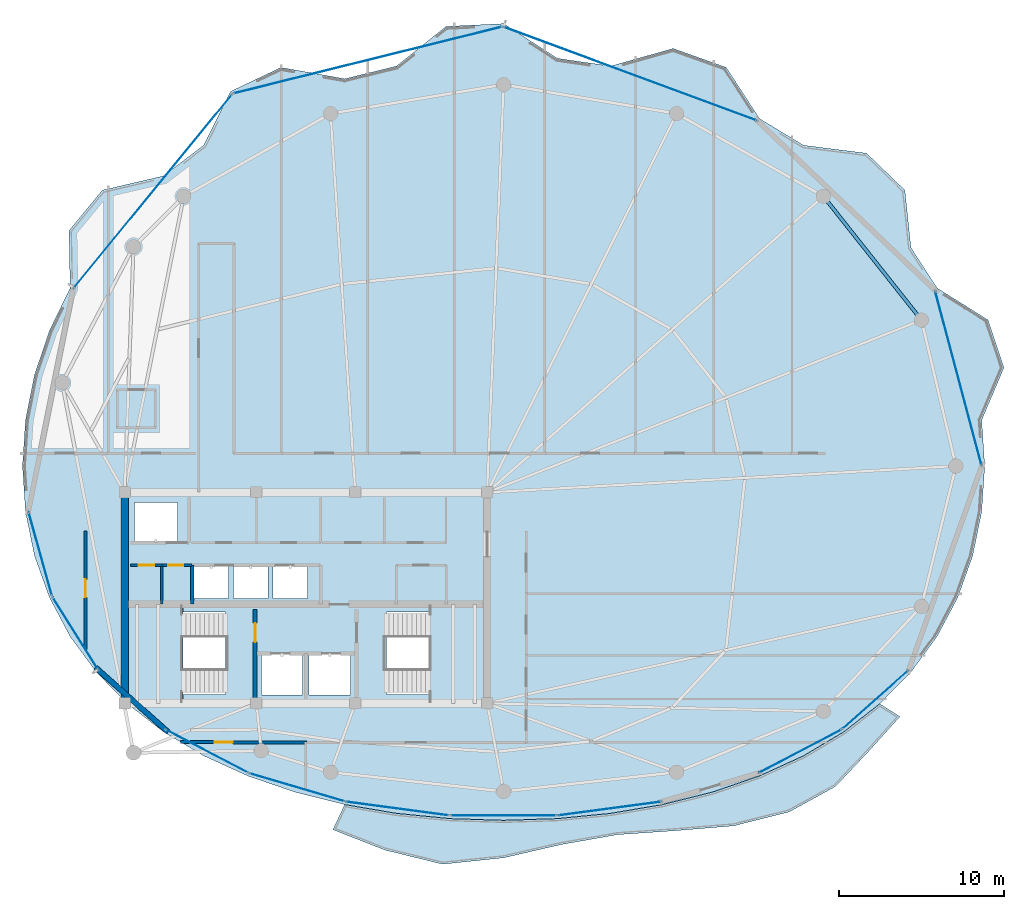
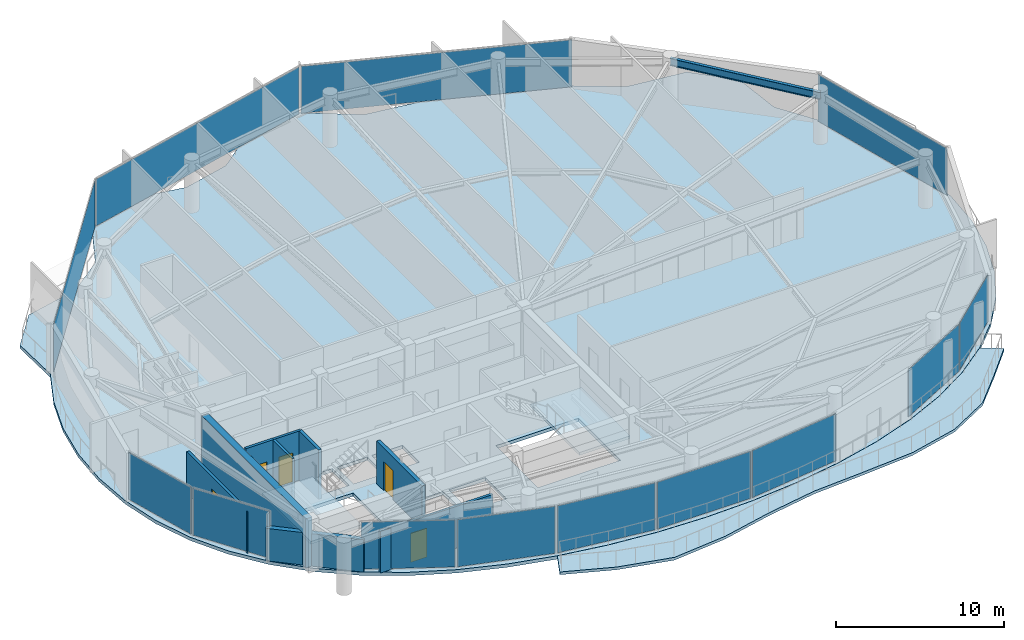
# One storey, part 23 of 29: 13 plates, 9 walls, 5 doors, 4 slabs, 1 beam, 5 openings, 15 elements without a shape of their own.
"""IFC4 building model written with IfcOpenShell, lengths in metres."""

import ifcopenshell
import ifcopenshell.guid

model = None  # the IFC model being written
_history = None  # IfcOwnerHistory: only IFC2X3 demands one
_inside = {}  # id of a spatial element -> (the spatial element, [elements in it])
_under = {}  # id of a project, library or spatial element -> (it, [spatial elements below it])
_declared = {}  # id of a project -> (the project, [libraries it declares])
_typed = {}  # id of a type object -> (the type object, [elements of that type])
_made_of = {}  # id of a material, layer set ... -> (it, [elements and type objects made of it])


def new_model(schema):
    """Start an empty IFC model of exactly this schema.

    Asked for "IFC4X3", IfcOpenShell would pick the latest addendum, in which some entities
    have other attributes; the version numbers below select the first issue.
    IFC2X3 requires an IfcOwnerHistory on every rooted entity: one is made here for all.
    """
    global model, _history
    if schema == "IFC4X3":
        model = ifcopenshell.file(schema_version=(4, 3, 0, 0))
    else:
        model = ifcopenshell.file(schema=schema)
    _inside.clear()
    _under.clear()
    _declared.clear()
    _typed.clear()
    _made_of.clear()
    _history = None
    if model.schema == "IFC2X3":
        org = make("IfcOrganization", Name="unknown")
        user = make(
            "IfcPersonAndOrganization",
            ThePerson=make("IfcPerson", FamilyName="unknown"),
            TheOrganization=org,
        )
        app = make(
            "IfcApplication",
            ApplicationDeveloper=org,
            Version="unknown",
            ApplicationFullName="unknown",
            ApplicationIdentifier="unknown",
        )
        _history = make(
            "IfcOwnerHistory",
            OwningUser=user,
            OwningApplication=app,
            ChangeAction="ADDED",
            CreationDate=0,
        )
    return model


def make(cls, **values):
    """One entity of the class cls with the attributes given. An attribute that is None is left unset."""
    return model.create_entity(
        cls, **{name: value for name, value in values.items() if value is not None}
    )


def rooted(cls, **values):
    """An entity with a GlobalId (a new one), such as an element, a storey or a relation."""
    return make(cls, GlobalId=ifcopenshell.guid.new(), OwnerHistory=_history, **values)


def si_unit(unit_type, name, prefix=None):
    """IfcSIUnit, for example si_unit("LENGTHUNIT", "METRE", prefix="MILLI")."""
    return make("IfcSIUnit", UnitType=unit_type, Prefix=prefix, Name=name)


def assignment(units):
    """IfcUnitAssignment: the units of a project."""
    return None if units is None else make("IfcUnitAssignment", Units=units)


def point(xyz):
    """IfcCartesianPoint."""
    return None if xyz is None else make("IfcCartesianPoint", Coordinates=xyz)


def direction(xyz):
    """IfcDirection."""
    return None if xyz is None else make("IfcDirection", DirectionRatios=xyz)


def frame(location, z_axis=None, x_axis=None):
    """IfcAxis2Placement3D, a coordinate frame: its origin and axes. An axis left out is left unset."""
    return make(
        "IfcAxis2Placement3D",
        Location=point(location),
        Axis=direction(z_axis),
        RefDirection=direction(x_axis),
    )


def frame_2d(location, x_axis=None):
    """IfcAxis2Placement2D, a coordinate frame in the plane: its origin and x axis."""
    return make(
        "IfcAxis2Placement2D", Location=point(location), RefDirection=direction(x_axis)
    )


def origin():
    """The frame at (0, 0, 0) with its axes left unset."""
    return frame((0.0, 0.0, 0.0))


def origin_2d():
    """The frame at (0, 0) in the plane with its x axis left unset."""
    return frame_2d((0.0, 0.0))


def place(relative_to, where):
    """IfcLocalPlacement: puts the frame where relative to a parent placement (None: the world)."""
    return make(
        "IfcLocalPlacement", PlacementRelTo=relative_to, RelativePlacement=where
    )


def context(
    kind, dimensions, precision=None, world=None, true_north=None, identifier=None
):
    """IfcGeometricRepresentationContext, for example the 3D "Model" context."""
    return make(
        "IfcGeometricRepresentationContext",
        ContextIdentifier=identifier,
        ContextType=kind,
        CoordinateSpaceDimension=dimensions,
        Precision=precision,
        WorldCoordinateSystem=world,
        TrueNorth=true_north,
    )


def subcontext(parent, identifier, kind, view, scale=None):
    """IfcGeometricRepresentationSubContext, for example "Body" below "Model"."""
    return make(
        "IfcGeometricRepresentationSubContext",
        ContextIdentifier=identifier,
        ContextType=kind,
        ParentContext=parent,
        TargetScale=scale,
        TargetView=view,
    )


def project(units=None, contexts=None):
    """IfcProject with its units and contexts."""
    return rooted(
        "IfcProject",
        Name="project",
        RepresentationContexts=contexts,
        UnitsInContext=assignment(units),
    )


def spatial(cls, under=None, at=None, **own):
    """A site, building, storey or space (cls), placed at a placement, below another one or the project."""
    s = rooted(cls, ObjectPlacement=at, **own)
    if under is not None:
        _under.setdefault(under.id(), (under, []))[1].append(s)
    return s


def polyline(points):
    """IfcPolyline through the points."""
    return make("IfcPolyline", Points=[point(p) for p in points])


def profile(cls, at=None, kind="AREA", **sizes):
    """A parametric profile (cls). Its sizes go by their IFC names, for example OverallWidth=200.0."""
    return make(cls, ProfileType=kind, Position=at, **sizes)


def rectangle(**sizes):
    """IfcRectangleProfileDef."""
    return profile("IfcRectangleProfileDef", **sizes)


def i_section(**sizes):
    """IfcIShapeProfileDef."""
    return profile("IfcIShapeProfileDef", **sizes)


def outline(outer, holes=None, kind="AREA"):
    """IfcArbitraryClosedProfileDef: a profile drawn as a closed curve; with holes, ...WithVoids."""
    if holes is None:
        return make("IfcArbitraryClosedProfileDef", ProfileType=kind, OuterCurve=outer)
    return make(
        "IfcArbitraryProfileDefWithVoids",
        ProfileType=kind,
        OuterCurve=outer,
        InnerCurves=holes,
    )


def extrude(swept, where, along, depth):
    """IfcExtrudedAreaSolid: the profile swept, set in the frame where, extruded along a direction by depth."""
    return make(
        "IfcExtrudedAreaSolid",
        SweptArea=swept,
        Position=where,
        ExtrudedDirection=direction(along),
        Depth=depth,
    )


def shape(context_of_items, identifier, shape_type, items):
    """IfcShapeRepresentation: the items that make up one representation, for example the "Body"."""
    return make(
        "IfcShapeRepresentation",
        ContextOfItems=context_of_items,
        RepresentationIdentifier=identifier,
        RepresentationType=shape_type,
        Items=items,
    )


def material(Name=None, Category=None):
    """IfcMaterial."""
    return make("IfcMaterial", Name=Name, Category=Category)


def layer(
    of_material, thickness, ventilated=None, Name=None, Category=None, Priority=None
):
    """IfcMaterialLayer: one layer of a wall or slab, of a material (None: an air gap)."""
    return make(
        "IfcMaterialLayer",
        Material=of_material,
        LayerThickness=thickness,
        IsVentilated=ventilated,
        Name=Name,
        Category=Category,
        Priority=Priority,
    )


def layer_set(layers, Name=None):
    """IfcMaterialLayerSet."""
    return make("IfcMaterialLayerSet", MaterialLayers=layers, LayerSetName=Name)


def material_profile(
    of_material, cross_section, Name=None, Category=None, Priority=None
):
    """IfcMaterialProfile: a cross section and its material."""
    return make(
        "IfcMaterialProfile",
        Name=Name,
        Material=of_material,
        Profile=cross_section,
        Priority=Priority,
        Category=Category,
    )


def profile_set(profiles, Name=None, composite=None):
    """IfcMaterialProfileSet."""
    return make(
        "IfcMaterialProfileSet",
        Name=Name,
        MaterialProfiles=profiles,
        CompositeProfile=composite,
    )


def made_of(thing, what):
    """Note that an element or type object is made of a material, layer set ...; save() writes the relation."""
    if what is not None:
        _made_of.setdefault(what.id(), (what, []))[1].append(thing)
    return thing


def type_object(cls, material=None, **own):
    """A type object (cls), such as IfcWallType, which elements share."""
    return made_of(rooted(cls, **own), material)


def element(
    cls,
    number,
    at=None,
    inside=None,
    cuts=None,
    type_object=None,
    material=None,
    context=None,
    identifier="Body",
    shape_type=None,
    held_by="IfcProductDefinitionShape",
    body=None,
    shapes=None,
    **own,
):
    """One element of the class cls, such as IfcWall. Its Tag is "e" and its number.

    at: its placement. inside: the storey or other place that contains it. cuts: it is an
    opening in that element (IfcRelVoidsElement). A single representation is given by context,
    identifier, shape_type and body (its items); several are given by shapes. held_by: the class
    of the entity that holds the representations. save() writes the other relations.
    """
    e = rooted(cls, Tag="e%d" % number, ObjectPlacement=at, **own)
    if body is not None:
        shapes = [shape(context, identifier, shape_type, body)]
    if shapes is not None:
        e.Representation = make(held_by, Representations=shapes)
    if inside is not None:
        _inside.setdefault(inside.id(), (inside, []))[1].append(e)
    if cuts is not None:
        rooted(
            "IfcRelVoidsElement", RelatingBuildingElement=cuts, RelatedOpeningElement=e
        )
    if type_object is not None:
        _typed.setdefault(type_object.id(), (type_object, []))[1].append(e)
    return made_of(e, material)


def fill(opening, filler):
    """IfcRelFillsElement: the door or window that sits in an opening."""
    return rooted(
        "IfcRelFillsElement",
        RelatingOpeningElement=opening,
        RelatedBuildingElement=filler,
    )


def aggregate(whole, parts):
    """IfcRelAggregates: a whole, such as a stair, and the parts it consists of."""
    return rooted("IfcRelAggregates", RelatingObject=whole, RelatedObjects=parts)


def save(model, path):
    """Write the relations noted so far, then the file.

    IfcRelAggregates (storeys below a building ...), IfcRelContainedInSpatialStructure (elements
    in a storey), IfcRelDefinesByType, IfcRelAssociatesMaterial and IfcRelDeclares: one each for
    every whole, place, type object, material and project.
    """
    for whole, parts in _under.values():
        aggregate(whole, parts)
    for where, things in _inside.values():
        rooted(
            "IfcRelContainedInSpatialStructure",
            RelatedElements=things,
            RelatingStructure=where,
        )
    for kind, things in _typed.values():
        rooted("IfcRelDefinesByType", RelatedObjects=things, RelatingType=kind)
    for what, things in _made_of.values():
        rooted("IfcRelAssociatesMaterial", RelatedObjects=things, RelatingMaterial=what)
    for by, libraries in _declared.values():
        rooted("IfcRelDeclares", RelatingContext=by, RelatedDefinitions=libraries)
    model.write(path)


model = new_model("IFC4")

# Units and contexts
model_context = context("Model", 3, precision=1e-05, world=origin(), true_north=direction((0.0, 1.0)))
body_context = subcontext(model_context, "Body", "Model", "MODEL_VIEW")
ifc_project = project(units=[si_unit("LENGTHUNIT", "METRE"), si_unit("AREAUNIT", "SQUARE_METRE"), si_unit("VOLUMEUNIT", "CUBIC_METRE"), si_unit("PLANEANGLEUNIT", "RADIAN"), si_unit("MASSUNIT", "GRAM", prefix="KILO")], contexts=[model_context])

# Site, building, storey
site_placement = place(None, origin())
site = spatial("IfcSite", under=ifc_project, at=site_placement, CompositionType="ELEMENT")
building_placement = place(site_placement, origin())
building = spatial("IfcBuilding", under=site, at=building_placement, Name="Kazevale Care Tower and Concert Hall", CompositionType="ELEMENT")
storey_placement = place(building_placement, frame((0.0, 0.0, 285.199951171875)))
storey = spatial("IfcBuildingStorey", under=building, at=storey_placement, Name="L75", CompositionType="ELEMENT", Elevation=285.199951171875)

# Beam
ifc_material_1 = material(Name="Steel ASTM A572 Gr 50", Category="steel")
ifc_material_profile = material_profile(ifc_material_1, i_section(OverallWidth=0.208984375, OverallDepth=0.532958984375, WebThickness=0.01025390625, FlangeThickness=0.015625, at=origin_2d()), Name="W530x92")
ifc_profile_set = profile_set([ifc_material_profile], Name="Steel ASTM A572 Gr 50")
beam_type = type_object("IfcBeamType", Name="Upper Ring Beam W530x92", PredefinedType="BEAM", material=ifc_profile_set)
beam_placement = place(storey_placement, frame((70.360107421875, 46.860107421875, 3.29345703125), z_axis=(-0.621008988522, 0.783803442308, 0.0), x_axis=(-0.783803442308, -0.621008988522, 0.0)))
element("IfcBeam", 1, at=beam_placement, inside=storey, type_object=beam_type, Name="beam:L75:ring:02", PredefinedType="BEAM", context=body_context, shape_type="SweptSolid", body=[
    extrude(i_section(OverallWidth=0.208984375, OverallDepth=0.532958984375, WebThickness=0.01025390625, FlangeThickness=0.015625, at=origin_2d()), origin(), (0.0, 0.0, 1.0), 9.58154296875),
])

# Curtain wall, plate
ifc_material_2 = material(Name="Aluminium 6063-T6 and Low-E Glass", Category="aluminium")
ifc_layer_1 = layer(ifc_material_2, 0.179931640625)
ifc_layer_set_1 = layer_set([ifc_layer_1], Name="Aluminium 6063-T6 and Low-E Glass")
curtain_wall_type_1 = type_object("IfcCurtainWallType", Name="Convex Checkerboard Finned Curtain Wall CW-2", PredefinedType="NOTDEFINED", material=ifc_layer_set_1)
curtain_wall_1_placement = place(storey_placement, origin())
curtain_wall_1 = element("IfcCurtainWall", 2, at=curtain_wall_1_placement, inside=storey, type_object=curtain_wall_type_1, Name="cw:L75:f14", PredefinedType="NOTDEFINED")
ifc_material_3 = material(Name="Low-E Laminated Glass", Category="glass")
ifc_layer_2 = layer(ifc_material_3, 0.028076171875)
ifc_layer_set_2 = layer_set([ifc_layer_2], Name="Low-E Laminated Glass")
plate_type_1 = type_object("IfcPlateType", Name="CW-2 Low-E Glazing Panel 28mm", PredefinedType="CURTAIN_PANEL", material=ifc_layer_set_2)
plate_1_placement = place(storey_placement, frame((23.717041015625, 54.681396484375, 0.0751953125), z_axis=(0.0, 0.0, 1.0), x_axis=(0.63342647463, 0.773802882676, 0.0)))
plate_1 = element("IfcPlate", 3, at=plate_1_placement, type_object=plate_type_1, Name="CW-2 panel 1.1", PredefinedType="CURTAIN_PANEL", context=body_context, shape_type="SweptSolid", body=[
    extrude(rectangle(XDim=15.134521484375, YDim=0.028076171875, at=origin_2d()), origin(), (0.0, 0.0, 1.0), 3.409912109375),
])
aggregate(curtain_wall_1, [plate_1])

curtain_wall_2_placement = place(storey_placement, origin())
curtain_wall_2 = element("IfcCurtainWall", 4, at=curtain_wall_2_placement, inside=storey, type_object=curtain_wall_type_1, Name="cw:L75:f16", PredefinedType="NOTDEFINED")
plate_2_placement = place(storey_placement, frame((52.678955078125, 61.80908203125, 0.0751953125), z_axis=(0.0, 0.0, 1.0), x_axis=(0.937915548844, -0.346863695471, 0.0)))
plate_2 = element("IfcPlate", 5, at=plate_2_placement, type_object=plate_type_1, Name="CW-2 panel 1.1", PredefinedType="CURTAIN_PANEL", context=body_context, shape_type="SweptSolid", body=[
    extrude(rectangle(XDim=16.319091796875, YDim=0.028076171875, at=origin_2d()), origin(), (0.0, 0.0, 1.0), 3.409912109375),
])
aggregate(curtain_wall_2, [plate_2])

ifc_layer_3 = layer(ifc_material_2, 0.179931640625)
ifc_layer_set_3 = layer_set([ifc_layer_3], Name="Aluminium 6063-T6 and Low-E Glass")
curtain_wall_type_2 = type_object("IfcCurtainWallType", Name="Waist & Upper Residential Curtain Wall CW-4", PredefinedType="NOTDEFINED", material=ifc_layer_set_3)
curtain_wall_3_placement = place(storey_placement, origin())
curtain_wall_3 = element("IfcCurtainWall", 6, at=curtain_wall_3_placement, inside=storey, type_object=curtain_wall_type_2, Name="cw:L75:f11", PredefinedType="NOTDEFINED")
ifc_layer_4 = layer(ifc_material_3, 0.030029296875)
ifc_layer_set_4 = layer_set([ifc_layer_4], Name="Low-E Laminated Glass")
plate_type_2 = type_object("IfcPlateType", Name="CW-4 Low-E Glazing Panel 30mm", PredefinedType="CURTAIN_PANEL", material=ifc_layer_set_4)
plate_3_placement = place(storey_placement, frame((19.008544921875, 27.85205078125, 0.080078125), z_axis=(0.0, 0.0, 1.0), x_axis=(-0.532074560711, 0.846697503152, 0.0)))
plate_3 = element("IfcPlate", 7, at=plate_3_placement, type_object=plate_type_2, Name="CW-4 panel 1.1", PredefinedType="CURTAIN_PANEL", context=body_context, shape_type="SweptSolid", body=[
    extrude(rectangle(XDim=5.119384765625, YDim=0.030029296875, at=origin_2d()), origin(), (0.0, 0.0, 1.0), 3.39990234375),
])
aggregate(curtain_wall_3, [plate_3])

curtain_wall_4_placement = place(storey_placement, origin())
curtain_wall_4 = element("IfcCurtainWall", 8, at=curtain_wall_4_placement, inside=storey, type_object=curtain_wall_type_2, Name="cw:L75:f12", PredefinedType="NOTDEFINED")
plate_4_placement = place(storey_placement, frame((16.883056640625, 32.67041015625, 0.080078125), z_axis=(0.0, 0.0, 1.0), x_axis=(-0.268807011704, 0.963194056491, 0.0)))
plate_4 = element("IfcPlate", 9, at=plate_4_placement, type_object=plate_type_2, Name="CW-4 panel 1.1", PredefinedType="CURTAIN_PANEL", context=body_context, shape_type="SweptSolid", body=[
    extrude(rectangle(XDim=5.204345703125, YDim=0.030029296875, at=origin_2d()), origin(), (0.0, 0.0, 1.0), 3.39990234375),
])
aggregate(curtain_wall_4, [plate_4])

curtain_wall_5_placement = place(storey_placement, origin())
curtain_wall_5 = element("IfcCurtainWall", 10, at=curtain_wall_5_placement, inside=storey, type_object=curtain_wall_type_2, Name="cw:L75:f15", PredefinedType="NOTDEFINED")
plate_5_placement = place(storey_placement, frame((36.756103515625, 62.633056640625, 0.080078125), z_axis=(0.0, 0.0, 1.0), x_axis=(0.970552136495, 0.240891158711, 0.0)))
plate_5 = element("IfcPlate", 11, at=plate_5_placement, type_object=plate_type_2, Name="CW-4 panel 1.1", PredefinedType="CURTAIN_PANEL", context=body_context, shape_type="SweptSolid", body=[
    extrude(rectangle(XDim=16.727294921875, YDim=0.030029296875, at=origin_2d()), origin(), (0.0, 0.0, 1.0), 3.39990234375),
])
aggregate(curtain_wall_5, [plate_5])

curtain_wall_6_placement = place(storey_placement, origin())
curtain_wall_6 = element("IfcCurtainWall", 12, at=curtain_wall_6_placement, inside=storey, type_object=curtain_wall_type_2, Name="cw:L75:f18", PredefinedType="NOTDEFINED")
plate_6_placement = place(storey_placement, frame((72.599609375, 43.3359375, 0.080078125), z_axis=(0.0, 0.0, 1.0), x_axis=(0.257251209214, -0.966344563475, 0.0)))
plate_6 = element("IfcPlate", 13, at=plate_6_placement, type_object=plate_type_2, Name="CW-4 panel 1.1", PredefinedType="CURTAIN_PANEL", context=body_context, shape_type="SweptSolid", body=[
    extrude(rectangle(XDim=10.8837890625, YDim=0.030029296875, at=origin_2d()), origin(), (0.0, 0.0, 1.0), 3.39990234375),
])
aggregate(curtain_wall_6, [plate_6])

ifc_layer_5 = layer(ifc_material_2, 0.179931640625)
ifc_layer_set_5 = layer_set([ifc_layer_5], Name="Aluminium 6063-T6 and Low-E Glass")
curtain_wall_type_3 = type_object("IfcCurtainWallType", Name="Sheltered Concave Balcony Curtain Wall CW-5", PredefinedType="NOTDEFINED", material=ifc_layer_set_5)
curtain_wall_7_placement = place(storey_placement, origin())
curtain_wall_7 = element("IfcCurtainWall", 14, at=curtain_wall_7_placement, inside=storey, type_object=curtain_wall_type_3, Name="cw:L75:f02", PredefinedType="NOTDEFINED")
ifc_layer_6 = layer(ifc_material_3, 0.02587890625)
ifc_layer_set_6 = layer_set([ifc_layer_6], Name="Low-E Laminated Glass")
plate_type_3 = type_object("IfcPlateType", Name="CW-5 Low-E Glazing Panel 26mm", PredefinedType="CURTAIN_PANEL", material=ifc_layer_set_6)
plate_7_placement = place(storey_placement, frame((67.56640625, 23.819580078125, 0.0751953125), z_axis=(0.0, 0.0, 1.0), x_axis=(-0.747133834563, -0.664673629123, 0.0)))
plate_7 = element("IfcPlate", 15, at=plate_7_placement, type_object=plate_type_3, Name="CW-5 panel 1.1", PredefinedType="CURTAIN_PANEL", context=body_context, shape_type="SweptSolid", body=[
    extrude(rectangle(XDim=5.2587890625, YDim=0.02587890625, at=origin_2d()), origin(), (0.0, 0.0, 1.0), 3.409912109375),
])
aggregate(curtain_wall_7, [plate_7])

curtain_wall_8_placement = place(storey_placement, origin())
curtain_wall_8 = element("IfcCurtainWall", 16, at=curtain_wall_8_placement, inside=storey, type_object=curtain_wall_type_3, Name="cw:L75:f03", PredefinedType="NOTDEFINED")
plate_8_placement = place(storey_placement, frame((63.007568359375, 20.693603515625, 0.0751953125), z_axis=(0.0, 0.0, 1.0), x_axis=(-0.886002261972, -0.463680915912, 0.0)))
plate_8 = element("IfcPlate", 17, at=plate_8_placement, type_object=plate_type_3, Name="CW-5 panel 1.1", PredefinedType="CURTAIN_PANEL", context=body_context, shape_type="SweptSolid", body=[
    extrude(rectangle(XDim=5.580322265625, YDim=0.02587890625, at=origin_2d()), origin(), (0.0, 0.0, 1.0), 3.409912109375),
])
aggregate(curtain_wall_8, [plate_8])

curtain_wall_9_placement = place(storey_placement, origin())
curtain_wall_9 = element("IfcCurtainWall", 18, at=curtain_wall_9_placement, inside=storey, type_object=curtain_wall_type_3, Name="cw:L75:f05", PredefinedType="NOTDEFINED")
plate_9_placement = place(storey_placement, frame((51.4326171875, 17.20947265625, 0.0751953125), z_axis=(0.0, 0.0, 1.0), x_axis=(-0.991177380664, -0.132542069018, 0.0)))
plate_9 = element("IfcPlate", 19, at=plate_9_placement, type_object=plate_type_3, Name="CW-5 panel 1.1", PredefinedType="CURTAIN_PANEL", context=body_context, shape_type="SweptSolid", body=[
    extrude(rectangle(XDim=6.255615234375, YDim=0.02587890625, at=origin_2d()), origin(), (0.0, 0.0, 1.0), 3.409912109375),
])
aggregate(curtain_wall_9, [plate_9])

curtain_wall_10_placement = place(storey_placement, origin())
curtain_wall_10 = element("IfcCurtainWall", 20, at=curtain_wall_10_placement, inside=storey, type_object=curtain_wall_type_3, Name="cw:L75:f06", PredefinedType="NOTDEFINED")
plate_10_placement = place(storey_placement, frame((45.0, 16.784912109375, 0.0751953125), z_axis=(0.0, 0.0, 1.0), x_axis=(-1.0, 0.0, 0.0)))
plate_10 = element("IfcPlate", 21, at=plate_10_placement, type_object=plate_type_3, Name="CW-5 panel 1.1", PredefinedType="CURTAIN_PANEL", context=body_context, shape_type="SweptSolid", body=[
    extrude(rectangle(XDim=6.365966796875, YDim=0.02587890625, at=origin_2d()), origin(), (0.0, 0.0, 1.0), 3.409912109375),
])
aggregate(curtain_wall_10, [plate_10])

curtain_wall_11_placement = place(storey_placement, origin())
curtain_wall_11 = element("IfcCurtainWall", 22, at=curtain_wall_11_placement, inside=storey, type_object=curtain_wall_type_3, Name="cw:L75:f07", PredefinedType="NOTDEFINED")
plate_11_placement = place(storey_placement, frame((38.5673828125, 17.20947265625, 0.0751953125), z_axis=(0.0, 0.0, 1.0), x_axis=(-0.991177380664, 0.132542069018, 0.0)))
plate_11 = element("IfcPlate", 23, at=plate_11_placement, type_object=plate_type_3, Name="CW-5 panel 1.1", PredefinedType="CURTAIN_PANEL", context=body_context, shape_type="SweptSolid", body=[
    extrude(rectangle(XDim=6.255615234375, YDim=0.02587890625, at=origin_2d()), origin(), (0.0, 0.0, 1.0), 3.409912109375),
])
aggregate(curtain_wall_11, [plate_11])

curtain_wall_12_placement = place(storey_placement, origin())
curtain_wall_12 = element("IfcCurtainWall", 24, at=curtain_wall_12_placement, inside=storey, type_object=curtain_wall_type_3, Name="cw:L75:f08", PredefinedType="NOTDEFINED")
plate_12_placement = place(storey_placement, frame((32.4619140625, 18.49951171875, 0.0751953125), z_axis=(0.0, 0.0, 1.0), x_axis=(-0.959060133902, 0.283202506274, 0.0)))
plate_12 = element("IfcPlate", 25, at=plate_12_placement, type_object=plate_type_3, Name="CW-5 panel 1.1", PredefinedType="CURTAIN_PANEL", context=body_context, shape_type="SweptSolid", body=[
    extrude(rectangle(XDim=5.962158203125, YDim=0.02587890625, at=origin_2d()), origin(), (0.0, 0.0, 1.0), 3.409912109375),
])
aggregate(curtain_wall_12, [plate_12])

curtain_wall_13_placement = place(storey_placement, origin())
curtain_wall_13 = element("IfcCurtainWall", 26, at=curtain_wall_13_placement, inside=storey, type_object=curtain_wall_type_3, Name="cw:L75:f09", PredefinedType="NOTDEFINED")
plate_13_placement = place(storey_placement, frame((26.992431640625, 20.693603515625, 0.0751953125), z_axis=(0.0, 0.0, 1.0), x_axis=(-0.886002261972, 0.463680915912, 0.0)))
plate_13 = element("IfcPlate", 27, at=plate_13_placement, type_object=plate_type_3, Name="CW-5 panel 1.1", PredefinedType="CURTAIN_PANEL", context=body_context, shape_type="SweptSolid", body=[
    extrude(rectangle(XDim=5.580322265625, YDim=0.02587890625, at=origin_2d()), origin(), (0.0, 0.0, 1.0), 3.409912109375),
])
aggregate(curtain_wall_13, [plate_13])

# Slab
ifc_material_4 = material(Name="Concrete C40", Category="concrete")
ifc_layer_7 = layer(ifc_material_4, 0.199951171875)
ifc_layer_set_7 = layer_set([ifc_layer_7], Name="Concrete C40")
slab_type_1 = type_object("IfcSlabType", Name="Sinusoidal Concave Balcony Slab 200", PredefinedType="USERDEFINED", material=ifc_layer_set_7)
slab_1_placement = place(storey_placement, frame((0.0, 0.0, -0.199951171875)))
element("IfcSlab", 28, at=slab_1_placement, inside=storey, type_object=slab_type_1, Name="slab:L75:bal", ObjectType="BALCONY", PredefinedType="USERDEFINED", context=body_context, shape_type="SweptSolid", body=[
    extrude(outline(polyline([(69.055419921875, 22.794189453125), (67.160400390625, 20.69140625), (65.138427734375, 18.54931640625), (62.340576171875, 17.01220703125), (58.980712890625, 16.1650390625), (55.390869140625, 15.86669921875), (51.8974609375, 15.626220703125), (48.510009765625, 15.0302734375), (45.0, 14.2236328125), (41.30712890625, 13.834228515625), (37.813720703125, 14.689453125), (34.638916015625, 15.9296875), (35.353759765625, 17.45263671875), (35.35498046875, 17.452392578125), (38.501708984375, 16.918212890625), (41.730224609375, 16.6005859375), (45.0, 16.4951171875), (48.269775390625, 16.6005859375), (51.498291015625, 16.918212890625), (54.64501953125, 17.452392578125), (57.6708984375, 18.208251953125), (60.537109375, 19.192626953125), (63.208251953125, 20.411376953125), (65.650390625, 21.868896484375), (67.832763671875, 23.5654296875), (67.833740234375, 23.56640625), (69.055419921875, 22.794189453125)])), origin(), (0.0, 0.0, 1.0), 0.199951171875),
])

# Stair, slab
stair_type = type_object("IfcStairType", Name="Exit Stair Assembly ST1-U", PredefinedType="HALF_TURN_STAIR", material=ifc_material_4)
stair_1_placement = place(storey_placement, origin())
stair_1 = element("IfcStair", 29, at=stair_1_placement, inside=storey, type_object=stair_type, Name="stair:L75:ST1", PredefinedType="HALF_TURN_STAIR")
ifc_layer_8 = layer(ifc_material_4, 0.199951171875)
ifc_layer_set_8 = layer_set([ifc_layer_8], Name="Concrete C40")
slab_type_2 = type_object("IfcSlabType", Name="Stair Half-Landing Slab ST1-U", PredefinedType="LANDING", material=ifc_layer_set_8)
slab_2_placement = place(storey_placement, frame((0.0, 0.0, 1.699951171875)))
slab_2 = element("IfcSlab", 30, at=slab_2_placement, type_object=slab_type_2, Name="ST1-U landing 1", PredefinedType="LANDING", context=body_context, shape_type="SweptSolid", body=[
    extrude(outline(polyline([(22.050048828125, 23.699951171875), (25.530029296875, 23.699951171875), (25.530029296875, 29.5), (22.050048828125, 29.5), (22.050048828125, 23.699951171875)])), origin(), (0.0, 0.0, 1.0), 0.2001953125),
])
aggregate(stair_1, [slab_2])

stair_2_placement = place(storey_placement, origin())
stair_2 = element("IfcStair", 31, at=stair_2_placement, inside=storey, type_object=stair_type, Name="stair:L75:ST2", PredefinedType="HALF_TURN_STAIR")
slab_3_placement = place(storey_placement, frame((0.0, 0.0, 1.699951171875)))
slab_3 = element("IfcSlab", 32, at=slab_3_placement, type_object=slab_type_2, Name="ST1-U landing 1", PredefinedType="LANDING", context=body_context, shape_type="SweptSolid", body=[
    extrude(outline(polyline([(40.469970703125, 23.699951171875), (43.949951171875, 23.699951171875), (43.949951171875, 29.5), (40.469970703125, 29.5), (40.469970703125, 23.699951171875)])), origin(), (0.0, 0.0, 1.0), 0.2001953125),
])
aggregate(stair_2, [slab_3])

# Slab
ifc_layer_9 = layer(ifc_material_4, 0.239990234375)
ifc_layer_set_9 = layer_set([ifc_layer_9], Name="Concrete C40")
slab_type_3 = type_object("IfcSlabType", Name="Tower Typical Floor Slab 240", PredefinedType="FLOOR", material=ifc_layer_set_9)
slab_4_placement = place(storey_placement, frame((0.0, 0.0, -0.239990234375)))
element("IfcSlab", 33, at=slab_4_placement, inside=storey, type_object=slab_type_3, Name="slab:L75:tw:1", PredefinedType="FLOOR", context=body_context, shape_type="SweptSolid", body=[
    extrude(outline(polyline([(74.199951171875, 38.0), (74.016357421875, 40.787841796875), (75.368896484375, 43.974609375), (74.402099609375, 46.867919921875), (71.308349609375, 48.8037109375), (69.724365234375, 51.24755859375), (69.35400390625, 54.74072265625), (67.0263671875, 56.98583984375), (63.205810546875, 57.467529296875), (60.535400390625, 59.08349609375), (58.515380859375, 62.19091796875), (55.2880859375, 63.34326171875), (51.49755859375, 62.275634765625), (48.269287109375, 62.743408203125), (45.0, 64.85009765625), (41.51220703125, 64.68115234375), (38.50244140625, 62.275634765625), (35.35595703125, 61.502685546875), (31.484619140625, 62.19091796875), (28.42724609375, 60.734619140625), (26.794189453125, 57.467529296875), (24.3525390625, 55.60693359375), (20.64599609375, 54.74072265625), (18.62451171875, 52.28515625), (18.691650390625, 48.8037109375), (17.438720703125, 46.223876953125), (16.531982421875, 43.540771484375), (15.983642578125, 40.787841796875), (15.800048828125, 38.0), (15.983642578125, 35.229736328125), (16.531982421875, 32.551513671875), (17.438720703125, 30.01416015625), (18.691650390625, 27.654541015625), (20.275634765625, 25.5), (22.17041015625, 23.569091796875), (24.3525390625, 21.873046875), (26.794189453125, 20.415771484375), (29.464599609375, 19.197265625), (32.33056640625, 18.212890625), (35.35595703125, 17.457275390625), (38.50244140625, 16.92333984375), (41.730712890625, 16.60546875), (45.0, 16.5), (48.269287109375, 16.60546875), (51.49755859375, 16.92333984375), (54.64404296875, 17.457275390625), (57.66943359375, 18.212890625), (60.535400390625, 19.197265625), (63.205810546875, 20.415771484375), (65.6474609375, 21.873046875), (67.82958984375, 23.569091796875), (69.724365234375, 25.5), (71.308349609375, 27.654541015625), (72.561279296875, 30.01416015625), (73.468017578125, 32.551513671875), (74.016357421875, 35.229736328125), (74.199951171875, 38.0)]), holes=[polyline([(22.449951171875, 24.14990234375), (28.110107421875, 24.14990234375), (28.110107421875, 29.14990234375), (22.449951171875, 29.14990234375), (22.449951171875, 24.14990234375)]), polyline([(37.889892578125, 24.14990234375), (43.550048828125, 24.14990234375), (43.550048828125, 29.14990234375), (37.889892578125, 29.14990234375), (37.889892578125, 24.14990234375)]), polyline([(30.300048828125, 24.10009765625), (32.800048828125, 24.10009765625), (32.800048828125, 26.60009765625), (30.300048828125, 26.60009765625), (30.300048828125, 24.10009765625)]), polyline([(33.199951171875, 24.10009765625), (35.699951171875, 24.10009765625), (35.699951171875, 26.60009765625), (33.199951171875, 26.60009765625), (33.199951171875, 24.10009765625)]), polyline([(22.60009765625, 33.39990234375), (25.199951171875, 33.39990234375), (25.199951171875, 35.800048828125), (22.60009765625, 35.800048828125), (22.60009765625, 33.39990234375)]), polyline([(26.199951171875, 29.949951171875), (28.300048828125, 29.949951171875), (28.300048828125, 31.949951171875), (26.199951171875, 31.949951171875), (26.199951171875, 29.949951171875)]), polyline([(28.60009765625, 29.949951171875), (30.699951171875, 29.949951171875), (30.699951171875, 31.949951171875), (28.60009765625, 31.949951171875), (28.60009765625, 29.949951171875)]), polyline([(31.0, 29.949951171875), (33.10009765625, 29.949951171875), (33.10009765625, 31.949951171875), (31.0, 31.949951171875), (31.0, 29.949951171875)])]), origin(), (0.0, 0.0, 1.0), 0.239990234375),
])

# Walls
ifc_material_5 = material(Name="Concrete C50", Category="concrete")
ifc_layer_10 = layer(ifc_material_5, 0.449951171875)
ifc_layer_set_10 = layer_set([ifc_layer_10], Name="Concrete C50")
wall_type_1 = type_object("IfcWallType", Name="Core Shear Wall 450 C50", PredefinedType="SHEAR", material=ifc_layer_set_10)
wall_1_placement = place(storey_placement, frame((22.0, 23.824951171875, 0.0), z_axis=(0.0, 0.0, 1.0), x_axis=(0.0, 1.0, 0.0)))
element("IfcWall", 34, at=wall_1_placement, inside=storey, type_object=wall_type_1, Name="wall:L75:core:W", PredefinedType="SHEAR", context=body_context, shape_type="SweptSolid", body=[
    extrude(rectangle(XDim=12.35009765625, YDim=0.449951171875, at=frame_2d((6.175048828125, 0.0))), origin(), (0.0, 0.0, 1.0), 3.56005859375),
])
ifc_layer_11 = layer(ifc_material_4, 0.219970703125)
ifc_layer_set_11 = layer_set([ifc_layer_11], Name="Concrete C40")
wall_type_2 = type_object("IfcWallType", Name="Elevator Hoistway Shaft Wall 220", PredefinedType="SOLIDWALL", material=ifc_layer_set_11)
wall_2_placement = place(storey_placement, frame((26.10009765625, 29.6201171875, 0.0), z_axis=(0.0, 0.0, 1.0), x_axis=(0.0, 1.0, 0.0)))
element("IfcWall", 35, at=wall_2_placement, inside=storey, type_object=wall_type_2, Name="wall:L75:c_ph_w", PredefinedType="SOLIDWALL", context=body_context, shape_type="SweptSolid", body=[
    extrude(rectangle(XDim=2.35986328125, YDim=0.219970703125, at=frame_2d((1.179931640625, 0.0))), origin(), (0.0, 0.0, 1.0), 3.56005859375),
])

# Wall, opening, door
ifc_material_6 = material(Name="Concrete C40 and Acoustic Gypsum", Category="concrete")
ifc_layer_12 = layer(ifc_material_6, 0.179931640625)
ifc_layer_set_12 = layer_set([ifc_layer_12], Name="Concrete C40 and Acoustic Gypsum")
wall_type_3 = type_object("IfcWallType", Name="Fire-Rated Corridor & Party Wall 180", PredefinedType="PARTITIONING", material=ifc_layer_set_12)
wall_3_placement = place(storey_placement, frame((22.35009765625, 31.97998046875, 0.0), z_axis=(0.0, 0.0, 1.0), x_axis=(1.0, 0.0, 0.0)))
wall_3 = element("IfcWall", 36, at=wall_3_placement, inside=storey, type_object=wall_type_3, Name="wall:L75:kb_wn0", PredefinedType="PARTITIONING", context=body_context, shape_type="SweptSolid", body=[
    extrude(rectangle(XDim=1.909912109375, YDim=0.179931640625, at=frame_2d((0.955078125, 0.0))), origin(), (0.0, 0.0, 1.0), 3.56005859375),
])
opening_1_placement = place(wall_3_placement, frame((0.514892578125, 0.0, 0.0)))
opening_1 = element("IfcOpeningElement", 37, at=opening_1_placement, cuts=wall_3, Name="Opening ID-900", PredefinedType="OPENING", context=body_context, shape_type="SweptSolid", body=[
    extrude(rectangle(XDim=0.919921875, YDim=2.10009765625, at=frame_2d((0.4599609375, 1.050048828125))), frame((0.0, 0.099853515625, 0.0), z_axis=(0.0, -1.0, 0.0), x_axis=(1.0, 0.0, 0.0)), (0.0, 0.0, 1.0), 0.199951171875),
])
ifc_material_7 = material(Name="Oak Timber Fire Leaf", Category="wood")
door_type_1 = type_object("IfcDoorType", Name="Bathroom & Service Door 920x2100", OperationType="NOTDEFINED", PredefinedType="DOOR", material=ifc_material_7)
door_1_placement = place(opening_1_placement, origin())
door_1 = element("IfcDoor", 38, at=door_1_placement, inside=storey, type_object=door_type_1, Name="door:L75:d_kbw1", OperationType="SINGLE_SWING_LEFT", OverallHeight=2.10009765625, OverallWidth=0.919921875, PredefinedType="DOOR", context=body_context, shape_type="SweptSolid", body=[
    extrude(rectangle(XDim=0.919921875, YDim=2.10009765625, at=frame_2d((0.4599609375, 1.050048828125))), frame((0.0, 0.02490234375, 0.0), z_axis=(0.0, -1.0, 0.0), x_axis=(1.0, 0.0, 0.0)), (0.0, 0.0, 1.0), 0.050048828125),
])
fill(opening_1, door_1)

wall_4_placement = place(storey_placement, frame((33.06494140625, 21.22509765625, 0.0), z_axis=(0.0, 0.0, 1.0), x_axis=(-0.999997008942, 0.002445834753, 0.0)))
wall_4 = element("IfcWall", 39, at=wall_4_placement, inside=storey, type_object=wall_type_3, Name="wall:L75:auto_018", PredefinedType="PARTITIONING", context=body_context, shape_type="SweptSolid", body=[
    extrude(rectangle(XDim=7.68603515625, YDim=0.179931640625, at=frame_2d((3.843017578125, 0.0))), origin(), (0.0, 0.0, 1.0), 3.01708984375),
])
opening_2_placement = place(wall_4_placement, frame((4.492919921875, 0.0, 0.0)))
opening_2 = element("IfcOpeningElement", 40, at=opening_2_placement, cuts=wall_4, Name="Opening ID-1100", PredefinedType="OPENING", context=body_context, shape_type="SweptSolid", body=[
    extrude(rectangle(XDim=1.10009765625, YDim=2.10009765625, at=frame_2d((0.550048828125, 1.050048828125))), frame((0.0, 0.099853515625, 0.0), z_axis=(0.0, -1.0, 0.0), x_axis=(1.0, 0.0, 0.0)), (0.0, 0.0, 1.0), 0.199951171875),
])
door_type_2 = type_object("IfcDoorType", Name="Care Bedroom Accessible Door 1100x2100", OperationType="NOTDEFINED", PredefinedType="DOOR", material=ifc_material_7)
door_2_placement = place(opening_2_placement, origin())
door_2 = element("IfcDoor", 41, at=door_2_placement, inside=storey, type_object=door_type_2, Name="door:L75:ad_018", OperationType="SINGLE_SWING_LEFT", OverallHeight=2.10009765625, OverallWidth=1.10009765625, PredefinedType="DOOR", context=body_context, shape_type="SweptSolid", body=[
    extrude(rectangle(XDim=1.10009765625, YDim=2.10009765625, at=frame_2d((0.550048828125, 1.050048828125))), frame((0.0, 0.02490234375, 0.0), z_axis=(0.0, -1.0, 0.0), x_axis=(1.0, 0.0, 0.0)), (0.0, 0.0, 1.0), 0.050048828125),
])
fill(opening_2, door_2)

wall_5_placement = place(storey_placement, frame((19.625, 26.881103515625, 0.0), z_axis=(0.0, 0.0, 1.0), x_axis=(0.0, 1.0, 0.0)))
wall_5 = element("IfcWall", 42, at=wall_5_placement, inside=storey, type_object=wall_type_3, Name="wall:L75:auto_020", PredefinedType="PARTITIONING", context=body_context, shape_type="SweptSolid", body=[
    extrude(rectangle(XDim=7.183837890625, YDim=0.179931640625, at=frame_2d((3.591796875, 0.0))), origin(), (0.0, 0.0, 1.0), 3.01708984375),
])
opening_3_placement = place(wall_5_placement, frame((3.14404296875, 0.0, 0.0)))
opening_3 = element("IfcOpeningElement", 43, at=opening_3_placement, cuts=wall_5, Name="Opening ID-1100", PredefinedType="OPENING", context=body_context, shape_type="SweptSolid", body=[
    extrude(rectangle(XDim=1.10009765625, YDim=2.10009765625, at=frame_2d((0.550048828125, 1.050048828125))), frame((0.0, 0.099853515625, 0.0), z_axis=(0.0, -1.0, 0.0), x_axis=(1.0, 0.0, 0.0)), (0.0, 0.0, 1.0), 0.199951171875),
])
door_3_placement = place(opening_3_placement, origin())
door_3 = element("IfcDoor", 44, at=door_3_placement, inside=storey, type_object=door_type_2, Name="door:L75:ad_020", OperationType="SINGLE_SWING_LEFT", OverallHeight=2.10009765625, OverallWidth=1.10009765625, PredefinedType="DOOR", context=body_context, shape_type="SweptSolid", body=[
    extrude(rectangle(XDim=1.10009765625, YDim=2.10009765625, at=frame_2d((0.550048828125, 1.050048828125))), frame((0.0, 0.02490234375, 0.0), z_axis=(0.0, -1.0, 0.0), x_axis=(1.0, 0.0, 0.0)), (0.0, 0.0, 1.0), 0.050048828125),
])
fill(opening_3, door_3)

# Wall
ifc_material_8 = material(Name="Acoustic Gypsum on Steel Stud", Category="steel")
ifc_layer_13 = layer(ifc_material_8, 0.159912109375)
ifc_layer_set_13 = layer_set([ifc_layer_13], Name="Acoustic Gypsum on Steel Stud")
wall_type_4 = type_object("IfcWallType", Name="Moisture-Resistant Bathroom Plumbing Wall 160", PredefinedType="PLUMBINGWALL", material=ifc_layer_set_13)
wall_6_placement = place(storey_placement, frame((24.260009765625, 29.6201171875, 0.0), z_axis=(0.0, 0.0, 1.0), x_axis=(0.0, 1.0, 0.0)))
element("IfcWall", 45, at=wall_6_placement, inside=storey, type_object=wall_type_4, Name="wall:L75:kb_we1", PredefinedType="PLUMBINGWALL", context=body_context, shape_type="SweptSolid", body=[
    extrude(rectangle(XDim=2.35986328125, YDim=0.159912109375, at=frame_2d((1.179931640625, 0.0))), origin(), (0.0, 0.0, 1.0), 3.56005859375),
])

# Wall, opening, door
wall_7_placement = place(storey_placement, frame((24.260009765625, 31.97998046875, 0.0), z_axis=(0.0, 0.0, 1.0), x_axis=(1.0, 0.0, 0.0)))
wall_7 = element("IfcWall", 46, at=wall_7_placement, inside=storey, type_object=wall_type_4, Name="wall:L75:kb_wn1", PredefinedType="PLUMBINGWALL", context=body_context, shape_type="SweptSolid", body=[
    extrude(rectangle(XDim=1.840087890625, YDim=0.159912109375, at=frame_2d((0.919921875, 0.0))), origin(), (0.0, 0.0, 1.0), 3.56005859375),
])
opening_4_placement = place(wall_7_placement, frame((0.387939453125, 0.0, 0.0)))
opening_4 = element("IfcOpeningElement", 47, at=opening_4_placement, cuts=wall_7, Name="Opening ID-900", PredefinedType="OPENING", context=body_context, shape_type="SweptSolid", body=[
    extrude(rectangle(XDim=0.919921875, YDim=2.10009765625, at=frame_2d((0.4599609375, 1.050048828125))), frame((0.0, 0.08984375, 0.0), z_axis=(0.0, -1.0, 0.0), x_axis=(1.0, 0.0, 0.0)), (0.0, 0.0, 1.0), 0.179931640625),
])
door_4_placement = place(opening_4_placement, origin())
door_4 = element("IfcDoor", 48, at=door_4_placement, inside=storey, type_object=door_type_1, Name="door:L75:d_kbw2", OperationType="SINGLE_SWING_RIGHT", OverallHeight=2.10009765625, OverallWidth=0.919921875, PredefinedType="DOOR", context=body_context, shape_type="SweptSolid", body=[
    extrude(rectangle(XDim=0.919921875, YDim=2.10009765625, at=frame_2d((0.4599609375, 1.050048828125))), frame((0.0, 0.02490234375, 0.0), z_axis=(0.0, -1.0, 0.0), x_axis=(1.0, 0.0, 0.0)), (0.0, 0.0, 1.0), 0.050048828125),
])
fill(opening_4, door_4)

ifc_layer_14 = layer(ifc_material_4, 0.25)
ifc_layer_set_14 = layer_set([ifc_layer_14], Name="Concrete C40")
wall_type_5 = type_object("IfcWallType", Name="Pressurized Stair Shaft Wall 250", PredefinedType="SOLIDWALL", material=ifc_layer_set_14)
wall_8_placement = place(storey_placement, frame((29.919921875, 23.89990234375, 0.0), z_axis=(0.0, 0.0, 1.0), x_axis=(0.0, 1.0, 0.0)))
wall_8 = element("IfcWall", 49, at=wall_8_placement, inside=storey, type_object=wall_type_5, Name="wall:L75:c_st1_e", PredefinedType="SOLIDWALL", context=body_context, shape_type="SweptSolid", body=[
    extrude(rectangle(XDim=5.400146484375, YDim=0.25, at=frame_2d((2.7001953125, 0.0))), origin(), (0.0, 0.0, 1.0), 3.090087890625),
])
opening_5_placement = place(wall_8_placement, frame((3.4208984375, 0.0, 0.0)))
opening_5 = element("IfcOpeningElement", 50, at=opening_5_placement, cuts=wall_8, Name="Opening FD-90", PredefinedType="OPENING", context=body_context, shape_type="SweptSolid", body=[
    extrude(rectangle(XDim=1.14990234375, YDim=2.10009765625, at=frame_2d((0.574951171875, 1.050048828125))), frame((0.0, 0.135009765625, 0.0), z_axis=(0.0, -1.0, 0.0), x_axis=(1.0, 0.0, 0.0)), (0.0, 0.0, 1.0), 0.27001953125),
])
door_type_3 = type_object("IfcDoorType", Name="Pressurized Stair & Lobby Fire Door 1150x2100", OperationType="NOTDEFINED", PredefinedType="DOOR", material=ifc_material_1)
door_5_placement = place(opening_5_placement, origin())
door_5 = element("IfcDoor", 51, at=door_5_placement, inside=storey, type_object=door_type_3, Name="door:L75:st1", OperationType="SINGLE_SWING_RIGHT", OverallHeight=2.10009765625, OverallWidth=1.14990234375, PredefinedType="DOOR", context=body_context, shape_type="SweptSolid", body=[
    extrude(rectangle(XDim=1.14990234375, YDim=2.10009765625, at=frame_2d((0.574951171875, 1.050048828125))), frame((0.0, 0.02490234375, 0.0), z_axis=(0.0, -1.0, 0.0), x_axis=(1.0, 0.0, 0.0)), (0.0, 0.0, 1.0), 0.050048828125),
])
fill(opening_5, door_5)

# Wall
ifc_material_9 = material(Name="Concrete C40 with Honed Limestone Cladding", Category="masonry")
ifc_layer_15 = layer(ifc_material_9, 0.320068359375)
ifc_layer_set_15 = layer_set([ifc_layer_15], Name="Concrete C40 with Honed Limestone Cladding")
wall_type_6 = type_object("IfcWallType", Name="Tower Honed Limestone Spandrel Wall 320", PredefinedType="STANDARD", material=ifc_layer_set_15)
wall_9_placement = place(storey_placement, frame((24.64794921875, 21.84912109375, 0.0), z_axis=(0.0, 0.0, 1.0), x_axis=(-0.747068410291, 0.664747162721, 0.0)))
element("IfcWall", 52, at=wall_9_placement, inside=storey, type_object=wall_type_6, Name="wall:cw:L75:f10", PredefinedType="STANDARD", context=body_context, shape_type="SweptSolid", body=[
    extrude(rectangle(XDim=5.928466796875, YDim=0.320068359375, at=frame_2d((2.96435546875, 0.0))), origin(), (0.0, 0.0, 1.0), 2.35009765625),
])

save(model, "model.ifc")
